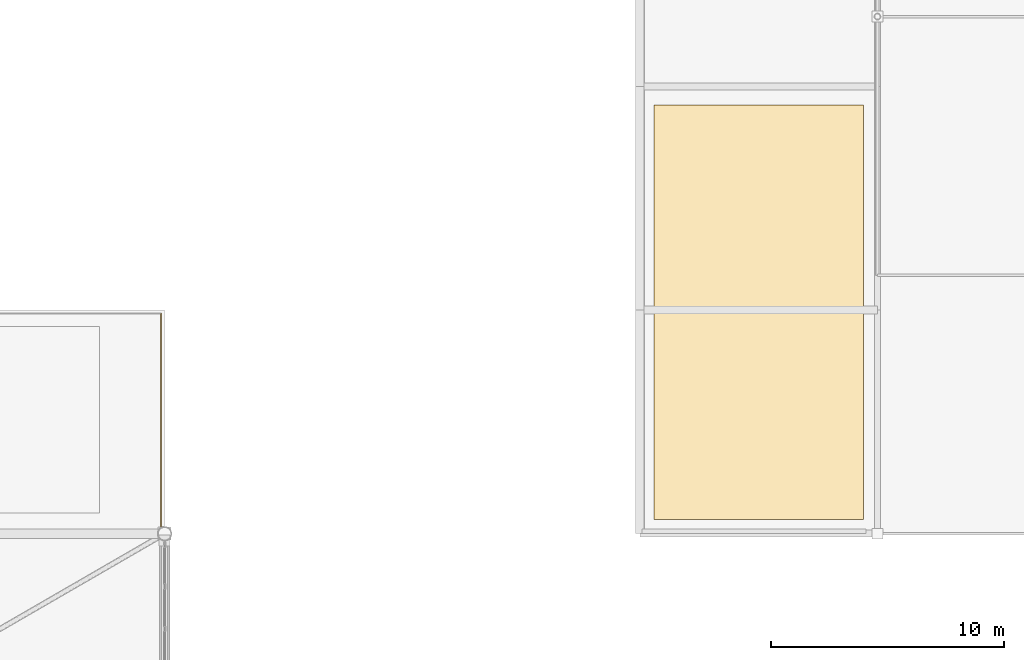
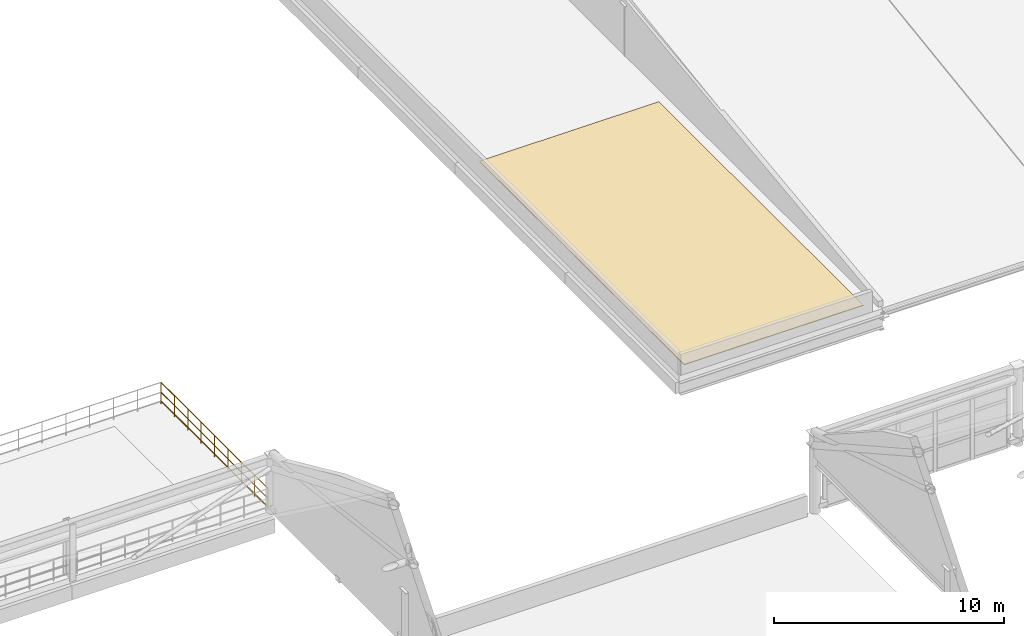
# One storey, part 133 of 135: 1 covering, 1 railing.
"""IFC4 building model written with IfcOpenShell, lengths in metres."""

from ifc_helpers import new_model, si_unit, direction, frame, origin, origin_2d, place, context, subcontext, project, spatial, polyline, circle, outline, extrude, material, layer, layer_set, type_object, element, save


model = new_model("IFC4")

# Units and contexts
model_context = context("Model", 3, precision=1e-05, world=origin(), true_north=direction((0.0, 1.0)))
body_context = subcontext(model_context, "Body", "Model", "MODEL_VIEW")
ifc_project = project(units=[si_unit("LENGTHUNIT", "METRE"), si_unit("AREAUNIT", "SQUARE_METRE"), si_unit("VOLUMEUNIT", "CUBIC_METRE"), si_unit("PLANEANGLEUNIT", "RADIAN"), si_unit("MASSUNIT", "GRAM", prefix="KILO")], contexts=[model_context])

# Site, building, storey
site_placement = place(None, origin())
site = spatial("IfcSite", under=ifc_project, at=site_placement, CompositionType="ELEMENT")
building_placement = place(site_placement, origin())
building = spatial("IfcBuilding", under=site, at=building_placement, Name="Brelvane Convention Centre", CompositionType="ELEMENT")
storey_placement = place(building_placement, frame((0.0, 0.0, 15.0)))
storey = spatial("IfcBuildingStorey", under=building, at=storey_placement, Name="L03", CompositionType="ELEMENT", Elevation=15.0)

# Covering
ifc_material_1 = material(Name="Patinated Copper-Bronze Alloy C22000")
ifc_layer = layer(ifc_material_1, 0.0400390625)
ifc_layer_set = layer_set([ifc_layer], Name="Patinated Copper-Bronze Alloy C22000")
covering_type = type_object("IfcCoveringType", Name="Envelope Covering RF-SS1", PredefinedType="ROOFING", material=ifc_layer_set)
covering_placement = place(storey_placement, origin())
element("IfcCovering", 1, at=covering_placement, inside=storey, type_object=covering_type, Name="Standing-Seam Copper Roof Covering L03-BALLF", PredefinedType="ROOFING", context=body_context, shape_type="SweptSolid", body=[
    extrude(outline(polyline([(163.800048828125, 100.199951171875), (172.800048828125, 100.199951171875), (172.800048828125, 118.0), (163.800048828125, 118.0), (163.800048828125, 100.199951171875)])), origin(), (0.0, 0.0, 1.0), 0.0400390625),
])

# Railing
ifc_material_2 = material(Name="Steel E350 (350 MPa)", Category="steel")
railing_type = type_object("IfcRailingType", Name="Railing GR-EXT-1", PredefinedType="GUARDRAIL", material=ifc_material_2)
railing_placement = place(storey_placement, frame((142.64990234375, 99.75, 0.0)))
element("IfcRailing", 2, at=railing_placement, inside=storey, type_object=railing_type, Name="Railing GR-EXT-1 L03-rg_court_l03_s2", PredefinedType="GUARDRAIL", context=body_context, shape_type="SweptSolid", body=[
    extrude(circle(Radius=0.02392578125, at=origin_2d()), frame((0.0, 0.0, 1.1259765625), z_axis=(0.0, 1.0, 0.0), x_axis=(-1.0, 0.0, 0.0)), (0.0, 0.0, 1.0), 9.300048828125),
    extrude(circle(Radius=0.02392578125, at=origin_2d()), frame((0.0, 0.0, 0.597900390625), z_axis=(0.0, 1.0, 0.0), x_axis=(-1.0, 0.0, 0.0)), (0.0, 0.0, 1.0), 9.300048828125),
    extrude(circle(Radius=0.02392578125, at=origin_2d()), frame((0.0, 0.0, 0.139892578125), z_axis=(0.0, 1.0, 0.0), x_axis=(-1.0, 0.0, 0.0)), (0.0, 0.0, 1.0), 9.300048828125),
    extrude(circle(Radius=0.02099609375, at=origin_2d()), origin(), (0.0, 0.0, 1.0), 1.101806640625),
    extrude(circle(Radius=0.02099609375, at=origin_2d()), frame((0.0, 1.16259765625, 0.0)), (0.0, 0.0, 1.0), 1.101806640625),
    extrude(circle(Radius=0.02099609375, at=origin_2d()), frame((0.0, 2.324951171875, 0.0)), (0.0, 0.0, 1.0), 1.101806640625),
    extrude(circle(Radius=0.02099609375, at=origin_2d()), frame((0.0, 3.487548828125, 0.0)), (0.0, 0.0, 1.0), 1.101806640625),
    extrude(circle(Radius=0.02099609375, at=origin_2d()), frame((0.0, 4.64990234375, 0.0)), (0.0, 0.0, 1.0), 1.101806640625),
    extrude(circle(Radius=0.02099609375, at=origin_2d()), frame((0.0, 5.8125, 0.0)), (0.0, 0.0, 1.0), 1.101806640625),
    extrude(circle(Radius=0.02099609375, at=origin_2d()), frame((0.0, 6.97509765625, 0.0)), (0.0, 0.0, 1.0), 1.101806640625),
    extrude(circle(Radius=0.02099609375, at=origin_2d()), frame((0.0, 8.137451171875, 0.0)), (0.0, 0.0, 1.0), 1.101806640625),
    extrude(circle(Radius=0.02099609375, at=origin_2d()), frame((0.0, 9.300048828125, 0.0)), (0.0, 0.0, 1.0), 1.101806640625),
])

save(model, "model.ifc")
